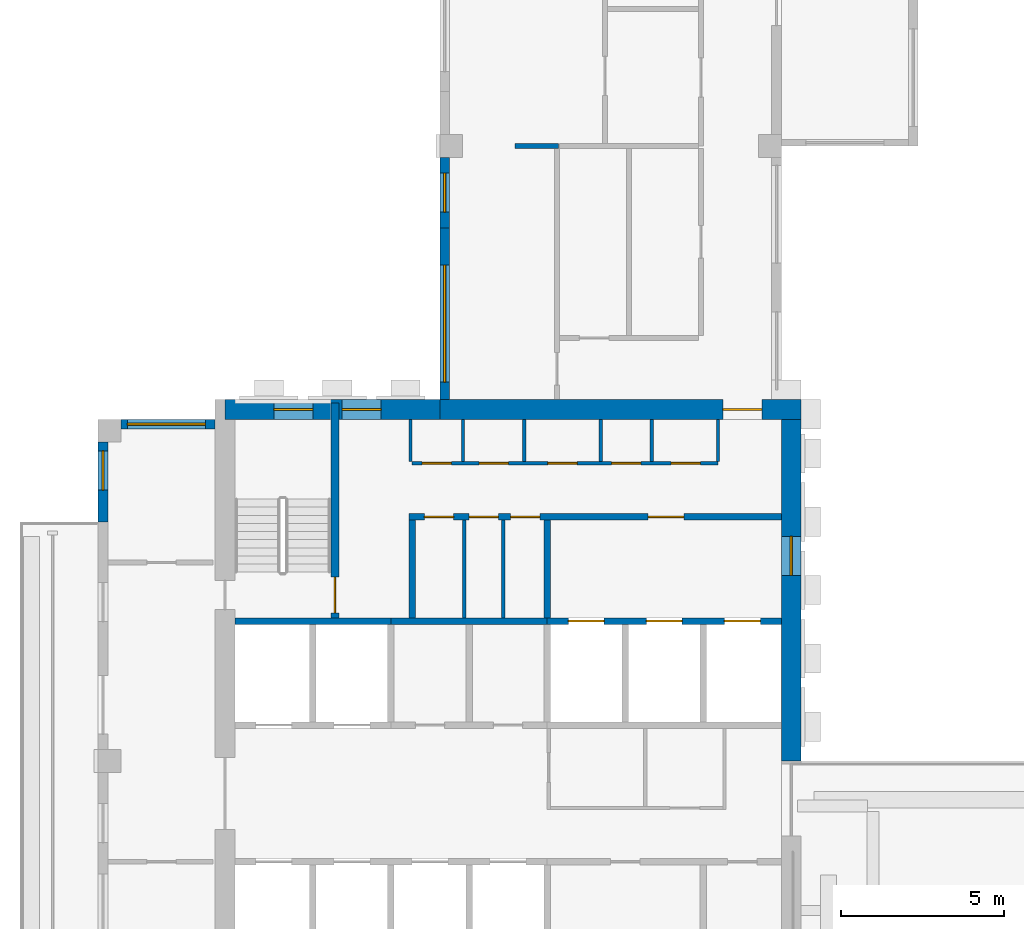
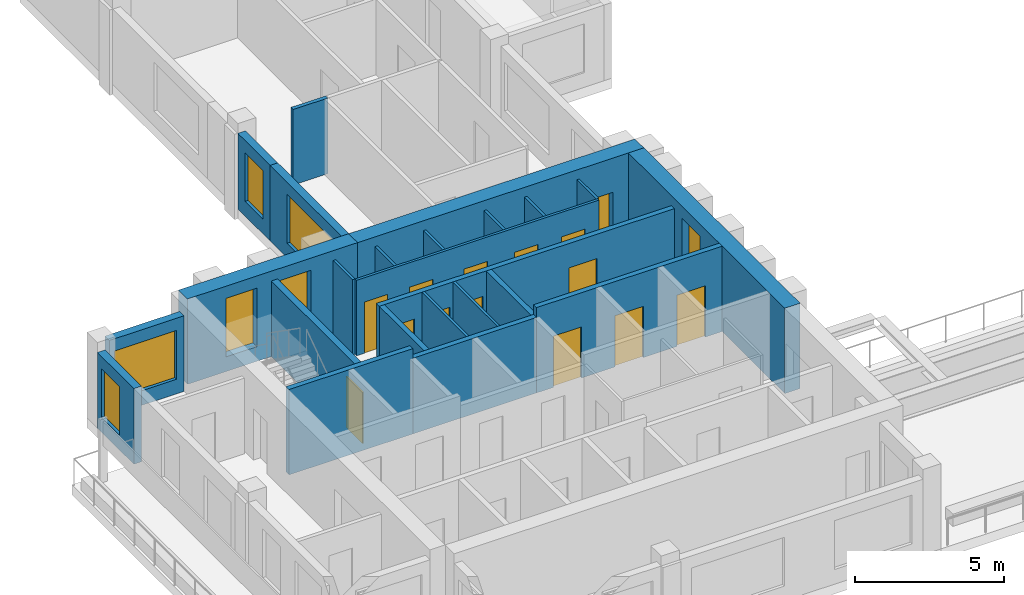
# One storey, part 3 of 10: 24 walls, 14 doors, 7 windows, 21 openings.
"""IFC4 building model written with IfcOpenShell, lengths in metres."""

from ifc_helpers import new_model, si_unit, direction, frame, frame_2d, origin, place, context, subcontext, project, spatial, rectangle, extrude, source, transform, mapped, material, layer, layer_set, type_object, element, fill, save


model = new_model("IFC4")

# Units and contexts
model_context = context("Model", 3, precision=1e-05, world=origin(), true_north=direction((0.0, 1.0)))
body_context = subcontext(model_context, "Body", "Model", "MODEL_VIEW")
ifc_project = project(units=[si_unit("LENGTHUNIT", "METRE"), si_unit("AREAUNIT", "SQUARE_METRE"), si_unit("VOLUMEUNIT", "CUBIC_METRE"), si_unit("PLANEANGLEUNIT", "RADIAN"), si_unit("MASSUNIT", "GRAM", prefix="KILO")], contexts=[model_context])

# Site, building, storey
site_placement = place(None, origin())
site = spatial("IfcSite", under=ifc_project, at=site_placement, CompositionType="ELEMENT")
building_placement = place(site_placement, origin())
building = spatial("IfcBuilding", under=site, at=building_placement, Name="Aurelian Terraces", CompositionType="ELEMENT")
storey_placement = place(building_placement, frame((0.0, 0.0, 291.5)))
storey = spatial("IfcBuildingStorey", under=building, at=storey_placement, Name="L66", CompositionType="ELEMENT", Elevation=291.5)

# Wall, openings, doors
ifc_material_1 = material(Name="Gypsum board on steel studs", Category="steel")
ifc_layer_1 = layer(ifc_material_1, 0.1)
ifc_layer_set_1 = layer_set([ifc_layer_1], Name="Core partition 100")
wall_type_1 = type_object("IfcWallType", Name="Core partition 100", PredefinedType="PARTITIONING", material=ifc_layer_set_1)
wall_1_placement = place(storey_placement, frame((9.65, 19.65, 0.0), z_axis=(0.0, 0.0, 1.0), x_axis=(1.0, 0.0, 0.0)))
wall_1 = element("IfcWall", 1, at=wall_1_placement, inside=storey, type_object=wall_type_1, Name="L66 core wall SV-N1", PredefinedType="PARTITIONING", context=body_context, shape_type="SweptSolid", body=[
    extrude(rectangle(XDim=9.4, YDim=0.1, at=frame_2d((4.7, 0.0))), origin(), (0.0, 0.0, 1.0), 3.1),
])
opening_1_placement = place(wall_1_placement, frame((0.3084, 0.0, 0.0)))
opening_1 = element("IfcOpeningElement", 2, at=opening_1_placement, cuts=wall_1, Name="Opening 66918", PredefinedType="OPENING", context=body_context, shape_type="SweptSolid", body=[
    extrude(rectangle(XDim=0.9, YDim=2.1, at=frame_2d((0.45, 1.05))), frame((0.0, 0.06, 0.0), z_axis=(0.0, -1.0, 0.0), x_axis=(1.0, 0.0, 0.0)), (0.0, 0.0, 1.0), 0.12),
])
shared_shape_1 = source(origin(), body_context, "Body", "SweptSolid", [
    extrude(rectangle(XDim=0.9, YDim=2.1, at=frame_2d((0.45, 1.05))), frame((0.0, 0.06, 0.0), z_axis=(0.0, -1.0, 0.0), x_axis=(1.0, 0.0, 0.0)), (0.0, 0.0, 1.0), 0.12),
])
opening_2_placement = place(wall_1_placement, frame((2.0567, 0.0, 0.0)))
opening_2 = element("IfcOpeningElement", 3, at=opening_2_placement, cuts=wall_1, Name="Opening 66919", PredefinedType="OPENING", context=body_context, shape_type="MappedRepresentation", body=[
    mapped(shared_shape_1, transform((0.0, 0.0, 0.0), scale=1.0)),
])
opening_3_placement = place(wall_1_placement, frame((4.1717, 0.0, 0.0)))
opening_3 = element("IfcOpeningElement", 4, at=opening_3_placement, cuts=wall_1, Name="Opening 66920", PredefinedType="OPENING", context=body_context, shape_type="MappedRepresentation", body=[
    mapped(shared_shape_1, transform((0.0, 0.0, 0.0), scale=1.0)),
])
opening_4_placement = place(wall_1_placement, frame((6.13, 0.0, 0.0)))
opening_4 = element("IfcOpeningElement", 5, at=opening_4_placement, cuts=wall_1, Name="Opening 66921", PredefinedType="OPENING", context=body_context, shape_type="MappedRepresentation", body=[
    mapped(shared_shape_1, transform((0.0, 0.0, 0.0), scale=1.0)),
])
opening_5_placement = place(wall_1_placement, frame((7.9567, 0.0, 0.0)))
opening_5 = element("IfcOpeningElement", 6, at=opening_5_placement, cuts=wall_1, Name="Opening 66922", PredefinedType="OPENING", context=body_context, shape_type="MappedRepresentation", body=[
    mapped(shared_shape_1, transform((0.0, 0.0, 0.0), scale=1.0)),
])
ifc_material_2 = material(Name="Steel door leaf", Category="steel")
door_type_1 = type_object("IfcDoorType", Name="Core service door 900x2100 right", OperationType="SINGLE_SWING_RIGHT", PredefinedType="DOOR", material=ifc_material_2)
shared_shape_2 = source(origin(), body_context, "Body", "SweptSolid", [
    extrude(rectangle(XDim=0.9, YDim=2.1, at=frame_2d((0.45, 1.05))), frame((0.0, 0.025, 0.0), z_axis=(0.0, -1.0, 0.0), x_axis=(1.0, 0.0, 0.0)), (0.0, 0.0, 1.0), 0.05),
])
door_1_placement = place(opening_1_placement, origin())
door_1 = element("IfcDoor", 7, at=door_1_placement, inside=storey, type_object=door_type_1, Name="Room door 66918", OperationType="SINGLE_SWING_RIGHT", OverallHeight=2.1, OverallWidth=0.9, PredefinedType="DOOR", context=body_context, shape_type="MappedRepresentation", body=[
    mapped(shared_shape_2, transform((0.0, 0.0, 0.0), scale=1.0)),
])
fill(opening_1, door_1)
door_type_2 = type_object("IfcDoorType", Name="Core service door 900x2100", OperationType="SINGLE_SWING_LEFT", PredefinedType="DOOR", material=ifc_material_2)
door_2_placement = place(opening_2_placement, origin())
door_2 = element("IfcDoor", 8, at=door_2_placement, inside=storey, type_object=door_type_2, Name="Room door 66919", OperationType="SINGLE_SWING_LEFT", OverallHeight=2.1, OverallWidth=0.9, PredefinedType="DOOR", context=body_context, shape_type="MappedRepresentation", body=[
    mapped(shared_shape_2, transform((0.0, 0.0, 0.0), scale=1.0)),
])
fill(opening_2, door_2)
door_3_placement = place(opening_3_placement, origin())
door_3 = element("IfcDoor", 9, at=door_3_placement, inside=storey, type_object=door_type_1, Name="Room door 66920", OperationType="SINGLE_SWING_RIGHT", OverallHeight=2.1, OverallWidth=0.9, PredefinedType="DOOR", context=body_context, shape_type="MappedRepresentation", body=[
    mapped(shared_shape_2, transform((0.0, 0.0, 0.0), scale=1.0)),
])
fill(opening_3, door_3)
door_4_placement = place(opening_4_placement, origin())
door_4 = element("IfcDoor", 10, at=door_4_placement, inside=storey, type_object=door_type_2, Name="Room door 66921", OperationType="SINGLE_SWING_LEFT", OverallHeight=2.1, OverallWidth=0.9, PredefinedType="DOOR", context=body_context, shape_type="MappedRepresentation", body=[
    mapped(shared_shape_2, transform((0.0, 0.0, 0.0), scale=1.0)),
])
fill(opening_4, door_4)
door_5_placement = place(opening_5_placement, origin())
door_5 = element("IfcDoor", 11, at=door_5_placement, inside=storey, type_object=door_type_1, Name="Room door 66922", OperationType="SINGLE_SWING_RIGHT", OverallHeight=2.1, OverallWidth=0.9, PredefinedType="DOOR", context=body_context, shape_type="MappedRepresentation", body=[
    mapped(shared_shape_2, transform((0.0, 0.0, 0.0), scale=1.0)),
])
fill(opening_5, door_5)

# Wall
wall_2_placement = place(storey_placement, frame((11.2167, 19.7, 0.0), z_axis=(0.0, 0.0, 1.0), x_axis=(0.0, 1.0, 0.0)))
element("IfcWall", 12, at=wall_2_placement, inside=storey, type_object=wall_type_1, Name="L66 core wall SV-NP1", PredefinedType="PARTITIONING", context=body_context, shape_type="SweptSolid", body=[
    extrude(rectangle(XDim=1.3, YDim=0.1, at=frame_2d((0.65, 0.0))), origin(), (0.0, 0.0, 1.0), 3.1),
])

# Wall, opening, window
ifc_material_3 = material(Name="Terracotta rainscreen cladding", Category="masonry")
ifc_layer_2 = layer(ifc_material_3, 0.3)
ifc_layer_set_2 = layer_set([ifc_layer_2], Name="EW-300")
wall_type_2 = type_object("IfcWallType", Name="EW-300", PredefinedType="STANDARD", material=ifc_layer_set_2)
wall_3_placement = place(storey_placement, frame((0.15, 20.3, 0.0), z_axis=(0.0, 0.0, 1.0), x_axis=(0.0, -1.0, 0.0)))
wall_3 = element("IfcWall", 13, at=wall_3_placement, inside=storey, type_object=wall_type_2, Name="External wall L66 F10.19", PredefinedType="STANDARD", context=body_context, shape_type="SweptSolid", body=[
    extrude(rectangle(XDim=2.45, YDim=0.3, at=frame_2d((1.225, 0.0))), origin(), (0.0, 0.0, 1.0), 3.1),
])
shared_shape_3 = source(origin(), body_context, "Body", "SweptSolid", [
    extrude(rectangle(XDim=1.2, YDim=2.0, at=frame_2d((0.6, 1.0))), frame((0.0, 0.16, 0.0), z_axis=(0.0, -1.0, 0.0), x_axis=(1.0, 0.0, 0.0)), (0.0, 0.0, 1.0), 0.32),
])
opening_6_placement = place(wall_3_placement, frame((0.275, 0.0, 0.6)))
opening_6 = element("IfcOpeningElement", 14, at=opening_6_placement, cuts=wall_3, Name="Opening W1220", PredefinedType="OPENING", context=body_context, shape_type="MappedRepresentation", body=[
    mapped(shared_shape_3, transform((0.0, 0.0, 0.0), scale=1.0)),
])
ifc_material_4 = material(Name="Clear glazing", Category="glass")
window_type_1 = type_object("IfcWindowType", Name="W-1200x2000", PartitioningType="SINGLE_PANEL", PredefinedType="WINDOW", material=ifc_material_4)
shared_shape_4 = source(origin(), body_context, "Body", "SweptSolid", [
    extrude(rectangle(XDim=1.2, YDim=2.0, at=frame_2d((0.6, 1.0))), frame((0.0, 0.03, 0.0), z_axis=(0.0, -1.0, 0.0), x_axis=(1.0, 0.0, 0.0)), (0.0, 0.0, 1.0), 0.06),
])
window_1_placement = place(opening_6_placement, origin())
window_1 = element("IfcWindow", 15, at=window_1_placement, inside=storey, type_object=window_type_1, Name="Window L66 L66-F10-19-0", OverallHeight=2.0, OverallWidth=1.2, PartitioningType="SINGLE_PANEL", PredefinedType="WINDOW", context=body_context, shape_type="MappedRepresentation", body=[
    mapped(shared_shape_4, transform((0.0, 0.0, 0.0), scale=1.0)),
])
fill(opening_6, window_1)

# Wall, opening, door
ifc_material_5 = material(Name="Concrete fc' 55 MPa", Category="concrete")
ifc_layer_3 = layer(ifc_material_5, 0.6)
ifc_layer_set_3 = layer_set([ifc_layer_3], Name="CORE WALL 600 FC55")
wall_type_3 = type_object("IfcWallType", Name="CORE WALL 600 FC55", PredefinedType="SHEAR", material=ifc_layer_set_3)
shared_shape_5 = source(origin(), body_context, "Body", "SweptSolid", [
    extrude(rectangle(XDim=11.1, YDim=0.6, at=frame_2d((5.55, 0.0))), origin(), (0.0, 0.0, 1.0), 3.5),
])
wall_4_placement = place(storey_placement, frame((10.5, 21.3, 0.0), z_axis=(0.0, 0.0, 1.0), x_axis=(1.0, 0.0, 0.0)))
wall_4 = element("IfcWall", 16, at=wall_4_placement, inside=storey, type_object=wall_type_3, Name="Core wall N L66", PredefinedType="SHEAR", context=body_context, shape_type="MappedRepresentation", body=[
    mapped(shared_shape_5, transform((0.0, 0.0, 0.0), scale=1.0)),
])
shared_shape_6 = source(origin(), body_context, "Body", "SweptSolid", [
    extrude(rectangle(XDim=1.2, YDim=2.1, at=frame_2d((0.6, 1.05))), frame((0.0, 0.31, 0.0), z_axis=(0.0, -1.0, 0.0), x_axis=(1.0, 0.0, 0.0)), (0.0, 0.0, 1.0), 0.62),
])
opening_7_placement = place(wall_4_placement, frame((8.7, 0.0, 0.0)))
opening_7 = element("IfcOpeningElement", 17, at=opening_7_placement, cuts=wall_4, Name="Opening 66933", PredefinedType="OPENING", context=body_context, shape_type="MappedRepresentation", body=[
    mapped(shared_shape_6, transform((0.0, 0.0, 0.0), scale=1.0)),
])
door_type_3 = type_object("IfcDoorType", Name="Core fire door 1200x2100 right", OperationType="SINGLE_SWING_RIGHT", PredefinedType="DOOR", material=ifc_material_2)
shared_shape_7 = source(origin(), body_context, "Body", "SweptSolid", [
    extrude(rectangle(XDim=1.2, YDim=2.1, at=frame_2d((0.6, 1.05))), frame((0.0, 0.025, 0.0), z_axis=(0.0, -1.0, 0.0), x_axis=(1.0, 0.0, 0.0)), (0.0, 0.0, 1.0), 0.05),
])
door_6_placement = place(opening_7_placement, origin())
door_6 = element("IfcDoor", 18, at=door_6_placement, inside=storey, type_object=door_type_3, Name="Core door 66933", OperationType="SINGLE_SWING_RIGHT", OverallHeight=2.1, OverallWidth=1.2, PredefinedType="DOOR", context=body_context, shape_type="MappedRepresentation", body=[
    mapped(shared_shape_7, transform((0.0, 0.0, 0.0), scale=1.0)),
])
fill(opening_7, door_6)

# Wall, opening, window
shared_shape_8 = source(origin(), body_context, "Body", "SweptSolid", [
    extrude(rectangle(XDim=10.5, YDim=0.6, at=frame_2d((5.25, 0.0))), origin(), (0.0, 0.0, 1.0), 3.5),
])
wall_5_placement = place(storey_placement, frame((21.3, 10.5, 0.0), z_axis=(0.0, 0.0, 1.0), x_axis=(0.0, 1.0, 0.0)))
wall_5 = element("IfcWall", 19, at=wall_5_placement, inside=storey, type_object=wall_type_3, Name="Core wall E L66 exposed", PredefinedType="SHEAR", context=body_context, shape_type="MappedRepresentation", body=[
    mapped(shared_shape_8, transform((0.0, 0.0, 0.0), scale=1.0)),
])
shared_shape_9 = source(origin(), body_context, "Body", "SweptSolid", [
    extrude(rectangle(XDim=1.2, YDim=2.4, at=frame_2d((0.6, 1.2))), frame((0.0, 0.31, 0.0), z_axis=(0.0, -1.0, 0.0), x_axis=(1.0, 0.0, 0.0)), (0.0, 0.0, 1.0), 0.62),
])
opening_8_placement = place(wall_5_placement, frame((5.7, 0.0, 0.6)))
opening_8 = element("IfcOpeningElement", 20, at=opening_8_placement, cuts=wall_5, Name="Opening W-CL", PredefinedType="OPENING", context=body_context, shape_type="MappedRepresentation", body=[
    mapped(shared_shape_9, transform((0.0, 0.0, 0.0), scale=1.0)),
])
ifc_material_6 = material(Name="Fire-resisting glazing", Category="glass")
window_type_2 = type_object("IfcWindowType", Name="Core lobby window 1200x2400", PartitioningType="SINGLE_PANEL", PredefinedType="WINDOW", material=ifc_material_6)
shared_shape_10 = source(origin(), body_context, "Body", "SweptSolid", [
    extrude(rectangle(XDim=1.2, YDim=2.4, at=frame_2d((0.6, 1.2))), frame((0.0, 0.03, 0.0), z_axis=(0.0, -1.0, 0.0), x_axis=(1.0, 0.0, 0.0)), (0.0, 0.0, 1.0), 0.06),
])
window_2_placement = place(opening_8_placement, origin())
window_2 = element("IfcWindow", 21, at=window_2_placement, inside=storey, type_object=window_type_2, Name="Lobby window L66 E7", OverallHeight=2.4, OverallWidth=1.2, PartitioningType="SINGLE_PANEL", PredefinedType="WINDOW", context=body_context, shape_type="MappedRepresentation", body=[
    mapped(shared_shape_10, transform((0.0, 0.0, 0.0), scale=1.0)),
])
fill(opening_8, window_2)

# Wall, openings, windows
shared_shape_11 = source(origin(), body_context, "Body", "SweptSolid", [
    extrude(rectangle(XDim=6.6, YDim=0.6, at=frame_2d((3.3, 0.0))), origin(), (0.0, 0.0, 1.0), 3.5),
])
wall_6_placement = place(storey_placement, frame((3.9, 21.3, 0.0), z_axis=(0.0, 0.0, 1.0), x_axis=(1.0, 0.0, 0.0)))
wall_6 = element("IfcWall", 22, at=wall_6_placement, inside=storey, type_object=wall_type_3, Name="Core wall N L66 exposed", PredefinedType="SHEAR", context=body_context, shape_type="MappedRepresentation", body=[
    mapped(shared_shape_11, transform((0.0, 0.0, 0.0), scale=1.0)),
])
opening_9_placement = place(wall_6_placement, frame((1.5, 0.0, 0.6)))
opening_9 = element("IfcOpeningElement", 23, at=opening_9_placement, cuts=wall_6, Name="Opening W-CL", PredefinedType="OPENING", context=body_context, shape_type="MappedRepresentation", body=[
    mapped(shared_shape_9, transform((0.0, 0.0, 0.0), scale=1.0)),
])
opening_10_placement = place(wall_6_placement, frame((3.6, 0.0, 0.6)))
opening_10 = element("IfcOpeningElement", 24, at=opening_10_placement, cuts=wall_6, Name="Opening W-CL", PredefinedType="OPENING", context=body_context, shape_type="MappedRepresentation", body=[
    mapped(shared_shape_9, transform((0.0, 0.0, 0.0), scale=1.0)),
])
window_3_placement = place(opening_9_placement, origin())
window_3 = element("IfcWindow", 25, at=window_3_placement, inside=storey, type_object=window_type_2, Name="Lobby window L66 N8", OverallHeight=2.4, OverallWidth=1.2, PartitioningType="SINGLE_PANEL", PredefinedType="WINDOW", context=body_context, shape_type="MappedRepresentation", body=[
    mapped(shared_shape_10, transform((0.0, 0.0, 0.0), scale=1.0)),
])
fill(opening_9, window_3)
window_4_placement = place(opening_10_placement, origin())
window_4 = element("IfcWindow", 26, at=window_4_placement, inside=storey, type_object=window_type_2, Name="Lobby window L66 N9", OverallHeight=2.4, OverallWidth=1.2, PartitioningType="SINGLE_PANEL", PredefinedType="WINDOW", context=body_context, shape_type="MappedRepresentation", body=[
    mapped(shared_shape_10, transform((0.0, 0.0, 0.0), scale=1.0)),
])
fill(opening_10, window_4)

# Wall, opening, window
shared_shape_12 = source(origin(), body_context, "Body", "SweptSolid", [
    extrude(rectangle(XDim=2.9, YDim=0.3, at=frame_2d((1.45, 0.0))), origin(), (0.0, 0.0, 1.0), 3.1),
])
wall_7_placement = place(storey_placement, frame((3.6, 20.85, 0.0), z_axis=(0.0, 0.0, 1.0), x_axis=(-1.0, 0.0, 0.0)))
wall_7 = element("IfcWall", 27, at=wall_7_placement, inside=storey, type_object=wall_type_2, Name="External wall L66 F09.18", PredefinedType="STANDARD", context=body_context, shape_type="MappedRepresentation", body=[
    mapped(shared_shape_12, transform((0.0, 0.0, 0.0), scale=1.0)),
])
shared_shape_13 = source(origin(), body_context, "Body", "SweptSolid", [
    extrude(rectangle(XDim=2.4, YDim=2.0, at=frame_2d((1.2, 1.0))), frame((0.0, 0.16, 0.0), z_axis=(0.0, -1.0, 0.0), x_axis=(1.0, 0.0, 0.0)), (0.0, 0.0, 1.0), 0.32),
])
opening_11_placement = place(wall_7_placement, frame((0.3, 0.0, 0.6)))
opening_11 = element("IfcOpeningElement", 28, at=opening_11_placement, cuts=wall_7, Name="Opening W2420", PredefinedType="OPENING", context=body_context, shape_type="MappedRepresentation", body=[
    mapped(shared_shape_13, transform((0.0, 0.0, 0.0), scale=1.0)),
])
window_type_3 = type_object("IfcWindowType", Name="W-2400x2000", PartitioningType="SINGLE_PANEL", PredefinedType="WINDOW", material=ifc_material_4)
shared_shape_14 = source(origin(), body_context, "Body", "SweptSolid", [
    extrude(rectangle(XDim=2.4, YDim=2.0, at=frame_2d((1.2, 1.0))), frame((0.0, 0.03, 0.0), z_axis=(0.0, -1.0, 0.0), x_axis=(1.0, 0.0, 0.0)), (0.0, 0.0, 1.0), 0.06),
])
window_5_placement = place(opening_11_placement, origin())
window_5 = element("IfcWindow", 29, at=window_5_placement, inside=storey, type_object=window_type_3, Name="Window L66 L66-F09-18-0", OverallHeight=2.0, OverallWidth=2.4, PartitioningType="SINGLE_PANEL", PredefinedType="WINDOW", context=body_context, shape_type="MappedRepresentation", body=[
    mapped(shared_shape_14, transform((0.0, 0.0, 0.0), scale=1.0)),
])
fill(opening_11, window_5)

shared_shape_15 = source(origin(), body_context, "Body", "SweptSolid", [
    extrude(rectangle(XDim=2.17, YDim=0.3, at=frame_2d((1.085, 0.0))), origin(), (0.0, 0.0, 1.0), 3.1),
])
wall_8_placement = place(storey_placement, frame((10.65, 29.05, 0.0), z_axis=(0.0, 0.0, 1.0), x_axis=(0.0, -1.0, 0.0)))
wall_8 = element("IfcWall", 30, at=wall_8_placement, inside=storey, type_object=wall_type_2, Name="External wall L66 F04.12", PredefinedType="STANDARD", context=body_context, shape_type="MappedRepresentation", body=[
    mapped(shared_shape_15, transform((0.0, 0.0, 0.0), scale=1.0)),
])
opening_12_placement = place(wall_8_placement, frame((0.485, 0.0, 0.6)))
opening_12 = element("IfcOpeningElement", 31, at=opening_12_placement, cuts=wall_8, Name="Opening W1220", PredefinedType="OPENING", context=body_context, shape_type="MappedRepresentation", body=[
    mapped(shared_shape_3, transform((0.0, 0.0, 0.0), scale=1.0)),
])
window_6_placement = place(opening_12_placement, origin())
window_6 = element("IfcWindow", 32, at=window_6_placement, inside=storey, type_object=window_type_1, Name="Window L66 L66-F04-12-P1", OverallHeight=2.0, OverallWidth=1.2, PartitioningType="SINGLE_PANEL", PredefinedType="WINDOW", context=body_context, shape_type="MappedRepresentation", body=[
    mapped(shared_shape_4, transform((0.0, 0.0, 0.0), scale=1.0)),
])
fill(opening_12, window_6)

shared_shape_16 = source(origin(), body_context, "Body", "SweptSolid", [
    extrude(rectangle(XDim=5.28, YDim=0.3, at=frame_2d((2.64, 0.0))), origin(), (0.0, 0.0, 1.0), 3.1),
])
wall_9_placement = place(storey_placement, frame((10.65, 26.88, 0.0), z_axis=(0.0, 0.0, 1.0), x_axis=(0.0, -1.0, 0.0)))
wall_9 = element("IfcWall", 33, at=wall_9_placement, inside=storey, type_object=wall_type_2, Name="External wall L66 F04.13", PredefinedType="STANDARD", context=body_context, shape_type="MappedRepresentation", body=[
    mapped(shared_shape_16, transform((0.0, 0.0, 0.0), scale=1.0)),
])
shared_shape_17 = source(origin(), body_context, "Body", "SweptSolid", [
    extrude(rectangle(XDim=3.6, YDim=2.0, at=frame_2d((1.8, 1.0))), frame((0.0, 0.16, 0.0), z_axis=(0.0, -1.0, 0.0), x_axis=(1.0, 0.0, 0.0)), (0.0, 0.0, 1.0), 0.32),
])
opening_13_placement = place(wall_9_placement, frame((1.14, 0.0, 0.6)))
opening_13 = element("IfcOpeningElement", 34, at=opening_13_placement, cuts=wall_9, Name="Opening W3620", PredefinedType="OPENING", context=body_context, shape_type="MappedRepresentation", body=[
    mapped(shared_shape_17, transform((0.0, 0.0, 0.0), scale=1.0)),
])
window_type_4 = type_object("IfcWindowType", Name="W-3600x2000", PartitioningType="SINGLE_PANEL", PredefinedType="WINDOW", material=ifc_material_4)
shared_shape_18 = source(origin(), body_context, "Body", "SweptSolid", [
    extrude(rectangle(XDim=3.6, YDim=2.0, at=frame_2d((1.8, 1.0))), frame((0.0, 0.03, 0.0), z_axis=(0.0, -1.0, 0.0), x_axis=(1.0, 0.0, 0.0)), (0.0, 0.0, 1.0), 0.06),
])
window_7_placement = place(opening_13_placement, origin())
window_7 = element("IfcWindow", 35, at=window_7_placement, inside=storey, type_object=window_type_4, Name="Window L66 L66-F04-13-0", OverallHeight=2.0, OverallWidth=3.6, PartitioningType="SINGLE_PANEL", PredefinedType="WINDOW", context=body_context, shape_type="MappedRepresentation", body=[
    mapped(shared_shape_18, transform((0.0, 0.0, 0.0), scale=1.0)),
])
fill(opening_13, window_7)

# Walls
ifc_material_7 = material(Name="Concrete fc' 40 MPa", Category="concrete")
ifc_layer_4 = layer(ifc_material_7, 0.2)
ifc_layer_set_4 = layer_set([ifc_layer_4], Name="Lift shaft wall 200")
wall_type_4 = type_object("IfcWallType", Name="Lift shaft wall 200", PredefinedType="SOLIDWALL", material=ifc_layer_set_4)
shared_shape_19 = source(origin(), body_context, "Body", "SweptSolid", [
    extrude(rectangle(XDim=4.8, YDim=0.2, at=frame_2d((2.4, 0.0))), origin(), (0.0, 0.0, 1.0), 3.5),
])
wall_10_placement = place(storey_placement, frame((4.2, 14.8, 0.0), z_axis=(0.0, 0.0, 1.0), x_axis=(1.0, 0.0, 0.0)))
element("IfcWall", 36, at=wall_10_placement, inside=storey, type_object=wall_type_4, Name="L66 core wall CF-BB1", PredefinedType="SOLIDWALL", context=body_context, shape_type="MappedRepresentation", body=[
    mapped(shared_shape_19, transform((0.0, 0.0, 0.0), scale=1.0)),
])
shared_shape_20 = source(origin(), body_context, "Body", "SweptSolid", [
    extrude(rectangle(XDim=4.8, YDim=0.2, at=frame_2d((2.4, 0.0))), origin(), (0.0, 0.0, 1.0), 3.1),
])
wall_11_placement = place(storey_placement, frame((9.0, 14.8, 0.0), z_axis=(0.0, 0.0, 1.0), x_axis=(1.0, 0.0, 0.0)))
element("IfcWall", 37, at=wall_11_placement, inside=storey, type_object=wall_type_4, Name="L66 core wall CF-BB2", PredefinedType="SOLIDWALL", context=body_context, shape_type="MappedRepresentation", body=[
    mapped(shared_shape_20, transform((0.0, 0.0, 0.0), scale=1.0)),
])

# Wall, openings, doors
shared_shape_21 = source(origin(), body_context, "Body", "SweptSolid", [
    extrude(rectangle(XDim=7.2, YDim=0.2, at=frame_2d((3.6, 0.0))), origin(), (0.0, 0.0, 1.0), 3.5),
])
wall_12_placement = place(storey_placement, frame((13.8, 14.8, 0.0), z_axis=(0.0, 0.0, 1.0), x_axis=(1.0, 0.0, 0.0)))
wall_12 = element("IfcWall", 38, at=wall_12_placement, inside=storey, type_object=wall_type_4, Name="L66 core wall CF-BB3", PredefinedType="SOLIDWALL", context=body_context, shape_type="MappedRepresentation", body=[
    mapped(shared_shape_21, transform((0.0, 0.0, 0.0), scale=1.0)),
])
shared_shape_22 = source(origin(), body_context, "Body", "SweptSolid", [
    extrude(rectangle(XDim=1.1, YDim=2.1, at=frame_2d((0.55, 1.05))), frame((0.0, 0.11, 0.0), z_axis=(0.0, -1.0, 0.0), x_axis=(1.0, 0.0, 0.0)), (0.0, 0.0, 1.0), 0.22),
])
opening_14_placement = place(wall_12_placement, frame((0.65, 0.0, 0.0)))
opening_14 = element("IfcOpeningElement", 39, at=opening_14_placement, cuts=wall_12, Name="Opening 66910", PredefinedType="OPENING", context=body_context, shape_type="MappedRepresentation", body=[
    mapped(shared_shape_22, transform((0.0, 0.0, 0.0), scale=1.0)),
])
opening_15_placement = place(wall_12_placement, frame((3.05, 0.0, 0.0)))
opening_15 = element("IfcOpeningElement", 40, at=opening_15_placement, cuts=wall_12, Name="Opening 66911", PredefinedType="OPENING", context=body_context, shape_type="MappedRepresentation", body=[
    mapped(shared_shape_22, transform((0.0, 0.0, 0.0), scale=1.0)),
])
opening_16_placement = place(wall_12_placement, frame((5.45, 0.0, 0.0)))
opening_16 = element("IfcOpeningElement", 41, at=opening_16_placement, cuts=wall_12, Name="Opening 66912", PredefinedType="OPENING", context=body_context, shape_type="MappedRepresentation", body=[
    mapped(shared_shape_22, transform((0.0, 0.0, 0.0), scale=1.0)),
])
ifc_material_8 = material(Name="Stainless steel", Category="steel")
door_type_4 = type_object("IfcDoorType", Name="Lift landing door 1100x2100", OperationType="SLIDING_TO_LEFT", PredefinedType="DOOR", material=ifc_material_8)
shared_shape_23 = source(origin(), body_context, "Body", "SweptSolid", [
    extrude(rectangle(XDim=1.1, YDim=2.1, at=frame_2d((0.55, 1.05))), frame((0.0, 0.025, 0.0), z_axis=(0.0, -1.0, 0.0), x_axis=(1.0, 0.0, 0.0)), (0.0, 0.0, 1.0), 0.05),
])
door_7_placement = place(opening_14_placement, origin())
door_7 = element("IfcDoor", 42, at=door_7_placement, inside=storey, type_object=door_type_4, Name="Lift landing door F1 L66", OperationType="SLIDING_TO_LEFT", OverallHeight=2.1, OverallWidth=1.1, PredefinedType="DOOR", context=body_context, shape_type="MappedRepresentation", body=[
    mapped(shared_shape_23, transform((0.0, 0.0, 0.0), scale=1.0)),
])
fill(opening_14, door_7)
door_8_placement = place(opening_15_placement, origin())
door_8 = element("IfcDoor", 43, at=door_8_placement, inside=storey, type_object=door_type_4, Name="Lift landing door F2 L66", OperationType="SLIDING_TO_LEFT", OverallHeight=2.1, OverallWidth=1.1, PredefinedType="DOOR", context=body_context, shape_type="MappedRepresentation", body=[
    mapped(shared_shape_23, transform((0.0, 0.0, 0.0), scale=1.0)),
])
fill(opening_15, door_8)
door_9_placement = place(opening_16_placement, origin())
door_9 = element("IfcDoor", 44, at=door_9_placement, inside=storey, type_object=door_type_4, Name="Lift landing door F3 L66", OperationType="SLIDING_TO_LEFT", OverallHeight=2.1, OverallWidth=1.1, PredefinedType="DOOR", context=body_context, shape_type="MappedRepresentation", body=[
    mapped(shared_shape_23, transform((0.0, 0.0, 0.0), scale=1.0)),
])
fill(opening_16, door_9)

# Walls
ifc_layer_5 = layer(ifc_material_1, 0.2)
ifc_layer_set_5 = layer_set([ifc_layer_5], Name="Core partition 200")
wall_type_5 = type_object("IfcWallType", Name="Core partition 200", PredefinedType="PARTITIONING", material=ifc_layer_set_5)
shared_shape_24 = source(origin(), body_context, "Body", "SweptSolid", [
    extrude(rectangle(XDim=3.0, YDim=0.2, at=frame_2d((1.5, 0.0))), origin(), (0.0, 0.0, 1.0), 3.1),
])
for number, where, z_axis, x_axis, name in (
    (45, (9.65, 14.9, 0.0), (0.0, 0.0, 1.0), (0.0, 1.0, 0.0), "L66 core wall CP-VEST"),
    (46, (13.8, 14.9, 0.0), (0.0, 0.0, 1.0), (0.0, 1.0, 0.0), "L66 core wall CP-FFL"),
):
    element("IfcWall", number, at=place(storey_placement, frame(where, z_axis=z_axis, x_axis=x_axis)), inside=storey, type_object=wall_type_5, Name=name, PredefinedType="PARTITIONING", context=body_context, shape_type="MappedRepresentation", body=[
        mapped(shared_shape_24, transform((0.0, 0.0, 0.0), scale=1.0)),
    ])

# Wall, opening, door
ifc_layer_6 = layer(ifc_material_7, 0.25)
ifc_layer_set_6 = layer_set([ifc_layer_6], Name="Stair enclosure wall 250")
wall_type_6 = type_object("IfcWallType", Name="Stair enclosure wall 250", PredefinedType="SOLIDWALL", material=ifc_layer_set_6)
shared_shape_25 = source(origin(), body_context, "Body", "SweptSolid", [
    extrude(rectangle(XDim=6.6, YDim=0.25, at=frame_2d((3.3, 0.0))), origin(), (0.0, 0.0, 1.0), 3.1),
])
wall_13_placement = place(storey_placement, frame((7.275, 14.9, 0.0), z_axis=(0.0, 0.0, 1.0), x_axis=(0.0, 1.0, 0.0)))
wall_13 = element("IfcWall", 47, at=wall_13_placement, inside=storey, type_object=wall_type_6, Name="L66 core wall ST-S1-E", PredefinedType="SOLIDWALL", context=body_context, shape_type="MappedRepresentation", body=[
    mapped(shared_shape_25, transform((0.0, 0.0, 0.0), scale=1.0)),
])
shared_shape_26 = source(origin(), body_context, "Body", "SweptSolid", [
    extrude(rectangle(XDim=1.1, YDim=2.1, at=frame_2d((0.55, 1.05))), frame((0.0, 0.135, 0.0), z_axis=(0.0, -1.0, 0.0), x_axis=(1.0, 0.0, 0.0)), (0.0, 0.0, 1.0), 0.27),
])
opening_17_placement = place(wall_13_placement, frame((0.15, 0.0, 0.0)))
opening_17 = element("IfcOpeningElement", 48, at=opening_17_placement, cuts=wall_13, Name="Opening 66913", PredefinedType="OPENING", context=body_context, shape_type="MappedRepresentation", body=[
    mapped(shared_shape_26, transform((0.0, 0.0, 0.0), scale=1.0)),
])
door_type_5 = type_object("IfcDoorType", Name="Core fire door 1100x2100", OperationType="SINGLE_SWING_LEFT", PredefinedType="DOOR", material=ifc_material_2)
door_10_placement = place(opening_17_placement, origin())
door_10 = element("IfcDoor", 49, at=door_10_placement, inside=storey, type_object=door_type_5, Name="Stair door 66913", OperationType="SINGLE_SWING_LEFT", OverallHeight=2.1, OverallWidth=1.1, PredefinedType="DOOR", context=body_context, shape_type="MappedRepresentation", body=[
    mapped(shared_shape_23, transform((0.0, 0.0, 0.0), scale=1.0)),
])
fill(opening_17, door_10)

# Wall, openings, doors
shared_shape_27 = source(origin(), body_context, "Body", "SweptSolid", [
    extrude(rectangle(XDim=11.45, YDim=0.2, at=frame_2d((5.725, 0.0))), origin(), (0.0, 0.0, 1.0), 3.1),
])
wall_14_placement = place(storey_placement, frame((9.55, 18.0, 0.0), z_axis=(0.0, 0.0, 1.0), x_axis=(1.0, 0.0, 0.0)))
wall_14 = element("IfcWall", 50, at=wall_14_placement, inside=storey, type_object=wall_type_5, Name="L66 core wall CP-NORTH", PredefinedType="PARTITIONING", context=body_context, shape_type="MappedRepresentation", body=[
    mapped(shared_shape_27, transform((0.0, 0.0, 0.0), scale=1.0)),
])
shared_shape_28 = source(origin(), body_context, "Body", "SweptSolid", [
    extrude(rectangle(XDim=0.9, YDim=2.1, at=frame_2d((0.45, 1.05))), frame((0.0, 0.11, 0.0), z_axis=(0.0, -1.0, 0.0), x_axis=(1.0, 0.0, 0.0)), (0.0, 0.0, 1.0), 0.22),
])
opening_18_placement = place(wall_14_placement, frame((0.475, 0.0, 0.0)))
opening_18 = element("IfcOpeningElement", 51, at=opening_18_placement, cuts=wall_14, Name="Opening 66914", PredefinedType="OPENING", context=body_context, shape_type="MappedRepresentation", body=[
    mapped(shared_shape_28, transform((0.0, 0.0, 0.0), scale=1.0)),
])
opening_19_placement = place(wall_14_placement, frame((1.85, 0.0, 0.0)))
opening_19 = element("IfcOpeningElement", 52, at=opening_19_placement, cuts=wall_14, Name="Opening 66915", PredefinedType="OPENING", context=body_context, shape_type="MappedRepresentation", body=[
    mapped(shared_shape_28, transform((0.0, 0.0, 0.0), scale=1.0)),
])
opening_20_placement = place(wall_14_placement, frame((3.125, 0.0, 0.0)))
opening_20 = element("IfcOpeningElement", 53, at=opening_20_placement, cuts=wall_14, Name="Opening 66916", PredefinedType="OPENING", context=body_context, shape_type="MappedRepresentation", body=[
    mapped(shared_shape_28, transform((0.0, 0.0, 0.0), scale=1.0)),
])
opening_21_placement = place(wall_14_placement, frame((7.35, 0.0, 0.0)))
opening_21 = element("IfcOpeningElement", 54, at=opening_21_placement, cuts=wall_14, Name="Opening 66917", PredefinedType="OPENING", context=body_context, shape_type="MappedRepresentation", body=[
    mapped(shared_shape_22, transform((0.0, 0.0, 0.0), scale=1.0)),
])
door_11_placement = place(opening_18_placement, origin())
door_11 = element("IfcDoor", 55, at=door_11_placement, inside=storey, type_object=door_type_1, Name="Room door 66914", OperationType="SINGLE_SWING_RIGHT", OverallHeight=2.1, OverallWidth=0.9, PredefinedType="DOOR", context=body_context, shape_type="MappedRepresentation", body=[
    mapped(shared_shape_2, transform((0.0, 0.0, 0.0), scale=1.0)),
])
fill(opening_18, door_11)
door_type_6 = type_object("IfcDoorType", Name="Core riser door 900x2100", OperationType="SINGLE_SWING_LEFT", PredefinedType="DOOR", material=ifc_material_2)
door_12_placement = place(opening_19_placement, origin())
door_12 = element("IfcDoor", 56, at=door_12_placement, inside=storey, type_object=door_type_6, Name="Room door 66915", OperationType="SINGLE_SWING_LEFT", OverallHeight=2.1, OverallWidth=0.9, PredefinedType="DOOR", context=body_context, shape_type="MappedRepresentation", body=[
    mapped(shared_shape_2, transform((0.0, 0.0, 0.0), scale=1.0)),
])
fill(opening_19, door_12)
door_13_placement = place(opening_20_placement, origin())
door_13 = element("IfcDoor", 57, at=door_13_placement, inside=storey, type_object=door_type_1, Name="Room door 66916", OperationType="SINGLE_SWING_RIGHT", OverallHeight=2.1, OverallWidth=0.9, PredefinedType="DOOR", context=body_context, shape_type="MappedRepresentation", body=[
    mapped(shared_shape_2, transform((0.0, 0.0, 0.0), scale=1.0)),
])
fill(opening_20, door_13)
door_14_placement = place(opening_21_placement, origin())
door_14 = element("IfcDoor", 58, at=door_14_placement, inside=storey, type_object=door_type_5, Name="Ff lobby door 66917", OperationType="SINGLE_SWING_LEFT", OverallHeight=2.1, OverallWidth=1.1, PredefinedType="DOOR", context=body_context, shape_type="MappedRepresentation", body=[
    mapped(shared_shape_23, transform((0.0, 0.0, 0.0), scale=1.0)),
])
fill(opening_21, door_14)

# Walls
shared_shape_29 = source(origin(), body_context, "Body", "SweptSolid", [
    extrude(rectangle(XDim=3.0, YDim=0.1, at=frame_2d((1.5, 0.0))), origin(), (0.0, 0.0, 1.0), 3.1),
])
for number, where, z_axis, x_axis, name in (
    (59, (11.25, 14.9, 0.0), (0.0, 0.0, 1.0), (0.0, 1.0, 0.0), "L66 core wall CP-SV1"),
    (60, (12.45, 14.9, 0.0), (0.0, 0.0, 1.0), (0.0, 1.0, 0.0), "L66 core wall CP-SV2"),
):
    element("IfcWall", number, at=place(storey_placement, frame(where, z_axis=z_axis, x_axis=x_axis)), inside=storey, type_object=wall_type_1, Name=name, PredefinedType="PARTITIONING", context=body_context, shape_type="MappedRepresentation", body=[
        mapped(shared_shape_29, transform((0.0, 0.0, 0.0), scale=1.0)),
    ])
shared_shape_30 = source(origin(), body_context, "Body", "SweptSolid", [
    extrude(rectangle(XDim=1.3, YDim=0.1, at=frame_2d((0.65, 0.0))), origin(), (0.0, 0.0, 1.0), 3.1),
])
for number, where, z_axis, x_axis, name in (
    (61, (13.0967, 19.7, 0.0), (0.0, 0.0, 1.0), (0.0, 1.0, 0.0), "L66 core wall SV-NP2"),
    (62, (15.4467, 19.7, 0.0), (0.0, 0.0, 1.0), (0.0, 1.0, 0.0), "L66 core wall SV-NP3"),
    (63, (17.0133, 19.7, 0.0), (0.0, 0.0, 1.0), (0.0, 1.0, 0.0), "L66 core wall SV-NP4"),
    (64, (9.6, 19.7, 0.0), (0.0, 0.0, 1.0), (0.0, 1.0, 0.0), "L66 core wall SV-NW0"),
    (65, (19.05, 19.7, 0.0), (0.0, 0.0, 1.0), (0.0, 1.0, 0.0), "L66 core wall SV-NW1"),
):
    element("IfcWall", number, at=place(storey_placement, frame(where, z_axis=z_axis, x_axis=x_axis)), inside=storey, type_object=wall_type_1, Name=name, PredefinedType="PARTITIONING", context=body_context, shape_type="MappedRepresentation", body=[
        mapped(shared_shape_30, transform((0.0, 0.0, 0.0), scale=1.0)),
    ])
ifc_layer_7 = layer(ifc_material_1, 0.15)
ifc_layer_set_7 = layer_set([ifc_layer_7], Name="Fire partition 150")
wall_type_7 = type_object("IfcWallType", Name="Fire partition 150", PredefinedType="PARTITIONING", material=ifc_layer_set_7)
shared_shape_31 = source(origin(), body_context, "Body", "SweptSolid", [
    extrude(rectangle(XDim=1.35, YDim=0.15, at=frame_2d((0.675, 0.0))), origin(), (0.0, 0.0, 1.0), 3.1),
])
wall_15_placement = place(storey_placement, frame((14.155, 29.4, 0.0), z_axis=(0.0, 0.0, 1.0), x_axis=(-1.0, 0.0, 0.0)))
element("IfcWall", 66, at=wall_15_placement, inside=storey, type_object=wall_type_7, Name="Party wall", PredefinedType="PARTITIONING", context=body_context, shape_type="MappedRepresentation", body=[
    mapped(shared_shape_31, transform((0.0, 0.0, 0.0), scale=1.0)),
])

save(model, "model.ifc")
